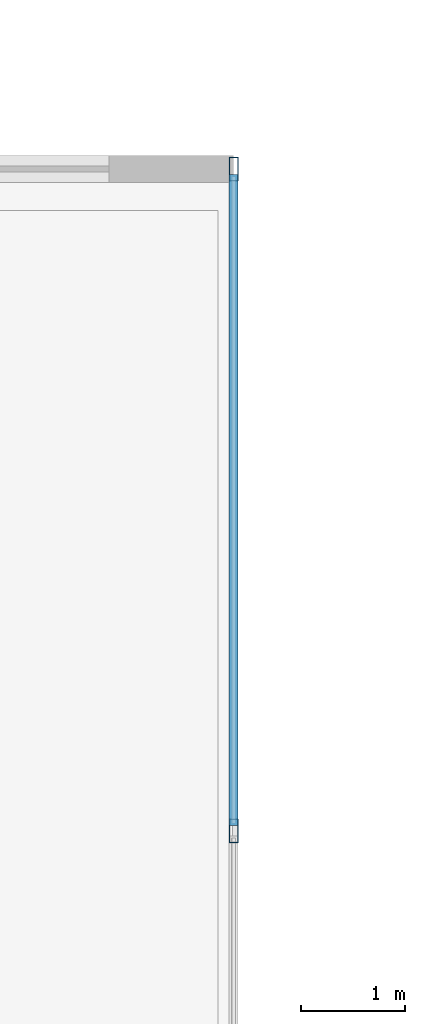
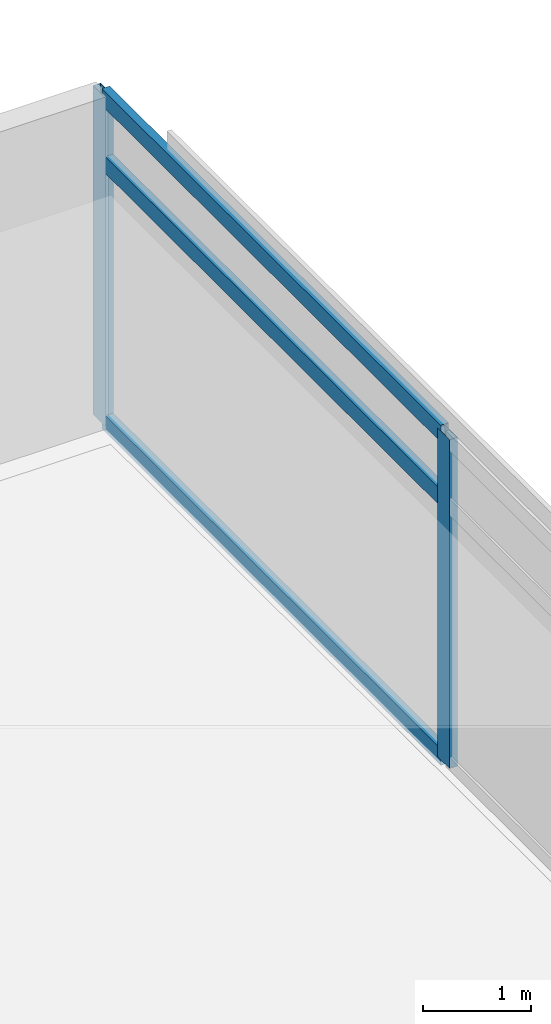
# One storey, part 11 of 20: 5 members, 1 element without a shape of its own.
"""IFC4 building model written with IfcOpenShell, lengths in metres."""

from ifc_helpers import new_model, si_unit, direction, frame, origin, origin_2d, place, context, subcontext, project, spatial, hollow_rectangle, extrude, material, material_profile, profile_set, type_object, element, aggregate, save


model = new_model("IFC4")

# Units and contexts
model_context = context("Model", 3, precision=1e-05, world=origin(), true_north=direction((0.0, 1.0)))
body_context = subcontext(model_context, "Body", "Model", "MODEL_VIEW")
ifc_project = project(units=[si_unit("LENGTHUNIT", "METRE"), si_unit("AREAUNIT", "SQUARE_METRE"), si_unit("VOLUMEUNIT", "CUBIC_METRE"), si_unit("PLANEANGLEUNIT", "RADIAN"), si_unit("MASSUNIT", "GRAM", prefix="KILO")], contexts=[model_context])

# Site, building, storey
site_placement = place(None, origin())
site = spatial("IfcSite", under=ifc_project, at=site_placement, CompositionType="ELEMENT")
building_placement = place(site_placement, origin())
building = spatial("IfcBuilding", under=site, at=building_placement, Name="Kovane Verandah Tower", CompositionType="ELEMENT")
storey_placement = place(building_placement, frame((0.0, 0.0, 75.60009765625)))
storey = spatial("IfcBuildingStorey", under=building, at=storey_placement, Name="L17", CompositionType="ELEMENT", Elevation=75.60009765625)

# Curtain wall, members
ifc_material_1 = material(Name="Champagne Anodised Aluminium Frame with Low-E Clear Laminated Glass", Category="aluminium")
curtain_wall_type = type_object("IfcCurtainWallType", Name="CW-SYS-02-LOW", PredefinedType="NOTDEFINED", material=ifc_material_1)
curtain_wall_placement = place(storey_placement, origin())
curtain_wall = element("IfcCurtainWall", 1, at=curtain_wall_placement, inside=storey, type_object=curtain_wall_type, Name="L17 E Unitised Curtain Wall", PredefinedType="NOTDEFINED")
ifc_material_2 = material(Name="Champagne Anodised Aluminium 6063-T6", Category="aluminium")
ifc_material_profile_1 = material_profile(ifc_material_2, hollow_rectangle(XDim=0.0849609375, YDim=0.22998046875, WallThickness=0.00390625, at=origin_2d()), Name="AL85x230x4")
ifc_profile_set_1 = profile_set([ifc_material_profile_1], Name="Champagne Anodised Aluminium 6063-T6")
member_type_1 = type_object("IfcMemberType", Name="CW-MUL-85x230", PredefinedType="MULLION", material=ifc_profile_set_1)
member_1_placement = place(storey_placement, frame((66.162353515625, 40.26904296875, 0.02001953125), z_axis=(0.0, 0.0, 1.0), x_axis=(1.0, 0.0, 0.0)))
member_1 = element("IfcMember", 2, at=member_1_placement, type_object=member_type_1, Name="L17 E Unitised Curtain Wall Mullion 6", PredefinedType="MULLION", context=body_context, shape_type="SweptSolid", body=[
    extrude(hollow_rectangle(XDim=0.0849609375, YDim=0.22998046875, WallThickness=0.00390625, at=origin_2d()), origin(), (0.0, 0.0, 1.0), 3.719970703125),
])
member_2_placement = place(storey_placement, frame((66.162353515625, 46.65380859375, 0.02001953125), z_axis=(0.0, 0.0, 1.0), x_axis=(1.0, 0.0, 0.0)))
member_2 = element("IfcMember", 3, at=member_2_placement, type_object=member_type_1, Name="L17 E Unitised Curtain Wall Mullion 7", PredefinedType="MULLION", context=body_context, shape_type="SweptSolid", body=[
    extrude(hollow_rectangle(XDim=0.0849609375, YDim=0.22998046875, WallThickness=0.00390625, at=origin_2d()), origin(), (0.0, 0.0, 1.0), 3.719970703125),
])
ifc_material_profile_2 = material_profile(ifc_material_2, hollow_rectangle(XDim=0.0849609375, YDim=0.18994140625, WallThickness=0.00390625, at=origin_2d()), Name="AL85x190x4")
ifc_profile_set_2 = profile_set([ifc_material_profile_2], Name="Champagne Anodised Aluminium 6063-T6")
member_type_2 = type_object("IfcMemberType", Name="CW-TRN-85x190", PredefinedType="USERDEFINED", material=ifc_profile_set_2)
member_3_placement = place(storey_placement, frame((66.162353515625, 40.319091796875, 0.0498046875), z_axis=(0.0, 1.0, 0.0), x_axis=(-1.0, 0.0, 0.0)))
member_3 = element("IfcMember", 4, at=member_3_placement, type_object=member_type_2, Name="L17 E Unitised Curtain Wall Transom TB Bay 6", ObjectType="TRANSOM", PredefinedType="USERDEFINED", context=body_context, shape_type="SweptSolid", body=[
    extrude(hollow_rectangle(XDim=0.0849609375, YDim=0.18994140625, WallThickness=0.00390625, at=origin_2d()), origin(), (0.0, 0.0, 1.0), 6.28466796875),
])
member_4_placement = place(storey_placement, frame((66.162353515625, 40.319091796875, 2.97998046875), z_axis=(0.0, 1.0, 0.0), x_axis=(-1.0, 0.0, 0.0)))
member_4 = element("IfcMember", 5, at=member_4_placement, type_object=member_type_2, Name="L17 E Unitised Curtain Wall Transom TM Bay 6", ObjectType="TRANSOM", PredefinedType="USERDEFINED", context=body_context, shape_type="SweptSolid", body=[
    extrude(hollow_rectangle(XDim=0.0849609375, YDim=0.18994140625, WallThickness=0.00390625, at=origin_2d()), origin(), (0.0, 0.0, 1.0), 6.28466796875),
])
member_5_placement = place(storey_placement, frame((66.162353515625, 40.319091796875, 3.7099609375), z_axis=(0.0, 1.0, 0.0), x_axis=(-1.0, 0.0, 0.0)))
member_5 = element("IfcMember", 6, at=member_5_placement, type_object=member_type_2, Name="L17 E Unitised Curtain Wall Transom TT Bay 6", ObjectType="TRANSOM", PredefinedType="USERDEFINED", context=body_context, shape_type="SweptSolid", body=[
    extrude(hollow_rectangle(XDim=0.0849609375, YDim=0.18994140625, WallThickness=0.00390625, at=origin_2d()), origin(), (0.0, 0.0, 1.0), 6.28466796875),
])
aggregate(curtain_wall, [member_1, member_2, member_3, member_4, member_5])

save(model, "model.ifc")
